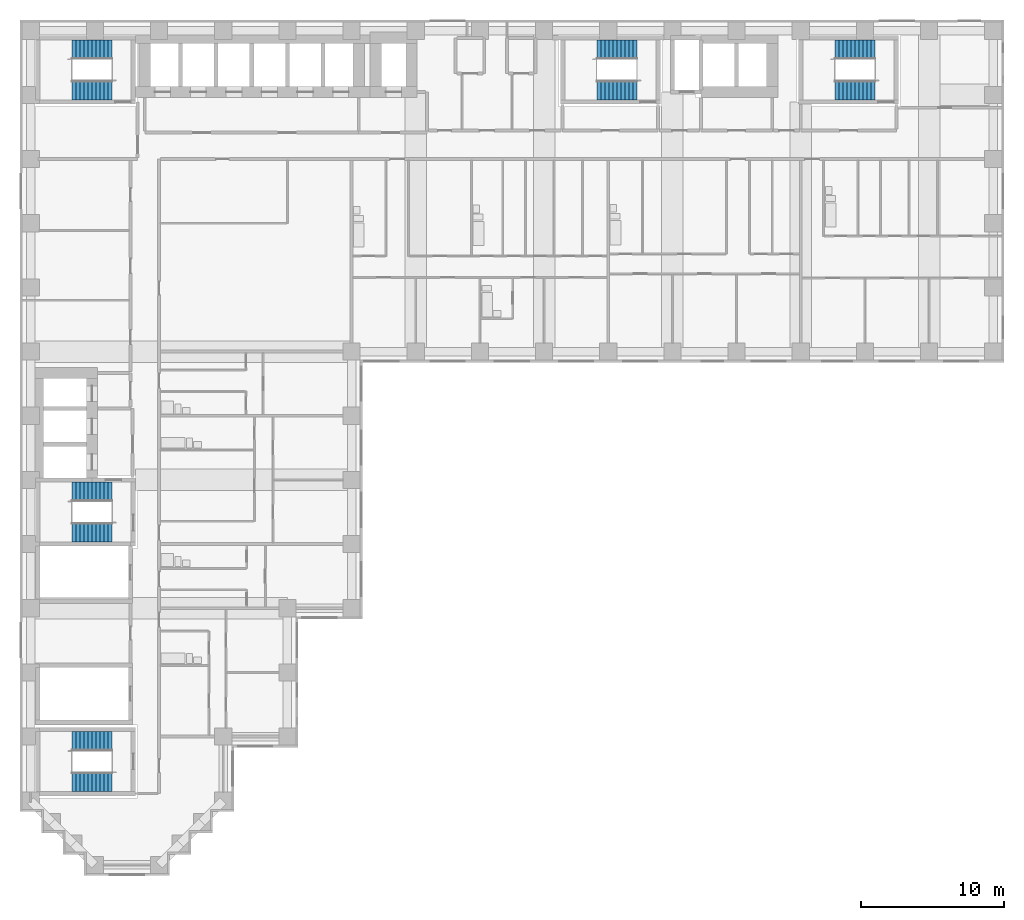
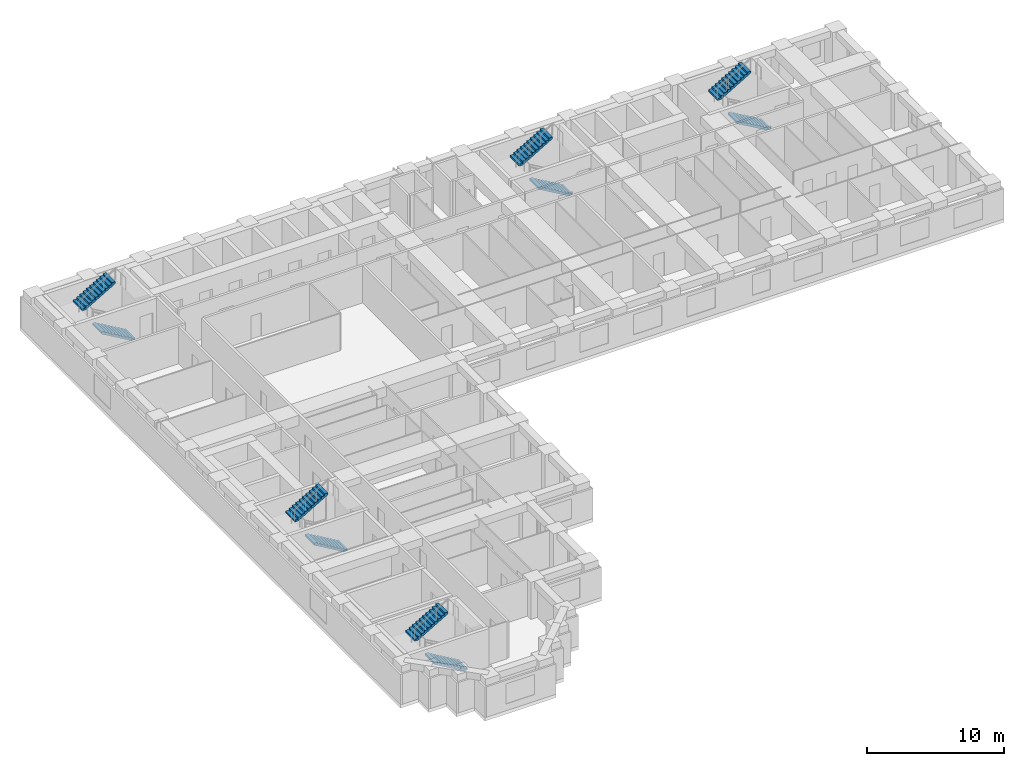
# One storey, part 10 of 12: 10 stair flights, 5 elements without a shape of their own.
"""IFC4 building model written with IfcOpenShell, lengths in metres."""

from ifc_helpers import new_model, si_unit, direction, frame, origin, place, context, subcontext, project, spatial, polyline, outline, extrude, material, type_object, element, aggregate, save


model = new_model("IFC4")

# Units and contexts
model_context = context("Model", 3, precision=1e-05, world=origin(), true_north=direction((0.0, 1.0)))
body_context = subcontext(model_context, "Body", "Model", "MODEL_VIEW")
ifc_project = project(units=[si_unit("LENGTHUNIT", "METRE"), si_unit("AREAUNIT", "SQUARE_METRE"), si_unit("VOLUMEUNIT", "CUBIC_METRE"), si_unit("PLANEANGLEUNIT", "RADIAN"), si_unit("MASSUNIT", "GRAM", prefix="KILO")], contexts=[model_context])

# Site, building, storey
site_placement = place(None, origin())
site = spatial("IfcSite", under=ifc_project, at=site_placement, CompositionType="ELEMENT")
building_placement = place(site_placement, origin())
building = spatial("IfcBuilding", under=site, at=building_placement, Name="Firuza Court", CompositionType="ELEMENT")
storey_placement = place(building_placement, frame((0.0, 0.0, 54.199951171875)))
storey = spatial("IfcBuildingStorey", under=building, at=storey_placement, Name="L12", CompositionType="ELEMENT", Elevation=54.199951171875)

# Stair, stair flights
ifc_material_1 = material(Name="Concrete C40/50 precast", Category="concrete")
stair_type = type_object("IfcStairType", Name="Stair 1350 x 3600 2 flights", PredefinedType="HALF_TURN_STAIR", material=ifc_material_1)
stair_1_placement = place(storey_placement, origin())
stair_1 = element("IfcStair", 1, at=stair_1_placement, inside=storey, type_object=stair_type, Name="Stair 1 L12", PredefinedType="HALF_TURN_STAIR")
ifc_material_2 = material(Name="Concrete C40/50 precast", Category="concrete")
stair_flight_type = type_object("IfcStairFlightType", Name="Flight 1350 riser 163.6", PredefinedType="STRAIGHT", material=ifc_material_2)
stair_flight_1_placement = place(storey_placement, frame((42.5, 54.324951171875, 0.0), z_axis=(0.0, 0.0, 1.0), x_axis=(-1.0, 0.0, 0.0)))
stair_flight_1 = element("IfcStairFlight", 2, at=stair_flight_1_placement, type_object=stair_flight_type, Name="S1 flight 1", NumberOfRisers=11, NumberOfTreads=10, PredefinedType="STRAIGHT", RiserHeight=0.163636364, TreadLength=0.28, context=body_context, shape_type="SweptSolid", body=[
    extrude(outline(polyline([(0.0, 0.0), (0.0, 0.16357421875), (0.280029296875, 0.16357421875), (0.280029296875, 0.327392578125), (0.56005859375, 0.327392578125), (0.56005859375, 0.490966796875), (0.840087890625, 0.490966796875), (0.840087890625, 0.654541015625), (1.1201171875, 0.654541015625), (1.1201171875, 0.818115234375), (1.39990234375, 0.818115234375), (1.39990234375, 0.98193359375), (1.679931640625, 0.98193359375), (1.679931640625, 1.1455078125), (1.9599609375, 1.1455078125), (1.9599609375, 1.30908203125), (2.239990234375, 1.30908203125), (2.239990234375, 1.47265625), (2.52001953125, 1.47265625), (2.52001953125, 1.636474609375), (2.800048828125, 1.636474609375), (2.800048828125, 1.800048828125), (2.800048828125, 1.462646484375), (0.297119140625, 0.0), (0.0, 0.0)])), frame((0.0, 0.675048828125, 0.0), z_axis=(0.0, -1.0, 0.0), x_axis=(1.0, 0.0, 0.0)), (0.0, 0.0, 1.0), 1.35009765625),
])
stair_flight_2_placement = place(storey_placement, frame((39.699951171875, 57.175048828125, 1.800048828125), z_axis=(0.0, 0.0, 1.0), x_axis=(1.0, 0.0, 0.0)))
stair_flight_2 = element("IfcStairFlight", 3, at=stair_flight_2_placement, type_object=stair_flight_type, Name="S1 flight 2", NumberOfRisers=11, NumberOfTreads=10, PredefinedType="STRAIGHT", RiserHeight=0.163636364, TreadLength=0.28, context=body_context, shape_type="SweptSolid", body=[
    extrude(outline(polyline([(0.0, 0.0), (0.0, 0.16357421875), (0.280029296875, 0.16357421875), (0.280029296875, 0.327392578125), (0.56005859375, 0.327392578125), (0.56005859375, 0.490966796875), (0.840087890625, 0.490966796875), (0.840087890625, 0.654541015625), (1.1201171875, 0.654541015625), (1.1201171875, 0.818115234375), (1.39990234375, 0.818115234375), (1.39990234375, 0.98193359375), (1.679931640625, 0.98193359375), (1.679931640625, 1.1455078125), (1.9599609375, 1.1455078125), (1.9599609375, 1.30908203125), (2.239990234375, 1.30908203125), (2.239990234375, 1.47265625), (2.52001953125, 1.47265625), (2.52001953125, 1.636474609375), (2.800048828125, 1.636474609375), (2.800048828125, 1.800048828125), (2.800048828125, 1.462646484375), (0.297119140625, 0.0), (0.0, 0.0)])), frame((0.0, 0.675048828125, 0.0), z_axis=(0.0, -1.0, 0.0), x_axis=(1.0, 0.0, 0.0)), (0.0, 0.0, 1.0), 1.35009765625),
])
aggregate(stair_1, [stair_flight_1, stair_flight_2])

stair_2_placement = place(storey_placement, origin())
stair_2 = element("IfcStair", 4, at=stair_2_placement, inside=storey, type_object=stair_type, Name="Stair 2 L12", PredefinedType="HALF_TURN_STAIR")
stair_flight_3_placement = place(storey_placement, frame((5.699951171875, 23.324951171875, 0.0), z_axis=(0.0, 0.0, 1.0), x_axis=(-1.0, 0.0, 0.0)))
stair_flight_3 = element("IfcStairFlight", 5, at=stair_flight_3_placement, type_object=stair_flight_type, Name="S2 flight 1", NumberOfRisers=11, NumberOfTreads=10, PredefinedType="STRAIGHT", RiserHeight=0.163636364, TreadLength=0.28, context=body_context, shape_type="SweptSolid", body=[
    extrude(outline(polyline([(0.0, 0.0), (0.0, 0.16357421875), (0.280029296875, 0.16357421875), (0.280029296875, 0.327392578125), (0.56005859375, 0.327392578125), (0.56005859375, 0.490966796875), (0.840087890625, 0.490966796875), (0.840087890625, 0.654541015625), (1.1201171875, 0.654541015625), (1.1201171875, 0.818115234375), (1.39990234375, 0.818115234375), (1.39990234375, 0.98193359375), (1.679931640625, 0.98193359375), (1.679931640625, 1.1455078125), (1.9599609375, 1.1455078125), (1.9599609375, 1.30908203125), (2.239990234375, 1.30908203125), (2.239990234375, 1.47265625), (2.52001953125, 1.47265625), (2.52001953125, 1.636474609375), (2.800048828125, 1.636474609375), (2.800048828125, 1.800048828125), (2.800048828125, 1.462646484375), (0.297119140625, 0.0), (0.0, 0.0)])), frame((0.0, 0.675048828125, 0.0), z_axis=(0.0, -1.0, 0.0), x_axis=(1.0, 0.0, 0.0)), (0.0, 0.0, 1.0), 1.35009765625),
])
stair_flight_4_placement = place(storey_placement, frame((2.89990234375, 26.175048828125, 1.800048828125), z_axis=(0.0, 0.0, 1.0), x_axis=(1.0, 0.0, 0.0)))
stair_flight_4 = element("IfcStairFlight", 6, at=stair_flight_4_placement, type_object=stair_flight_type, Name="S2 flight 2", NumberOfRisers=11, NumberOfTreads=10, PredefinedType="STRAIGHT", RiserHeight=0.163636364, TreadLength=0.28, context=body_context, shape_type="SweptSolid", body=[
    extrude(outline(polyline([(0.0, 0.0), (0.0, 0.16357421875), (0.280029296875, 0.16357421875), (0.280029296875, 0.327392578125), (0.56005859375, 0.327392578125), (0.56005859375, 0.490966796875), (0.840087890625, 0.490966796875), (0.840087890625, 0.654541015625), (1.1201171875, 0.654541015625), (1.1201171875, 0.818115234375), (1.39990234375, 0.818115234375), (1.39990234375, 0.98193359375), (1.679931640625, 0.98193359375), (1.679931640625, 1.1455078125), (1.9599609375, 1.1455078125), (1.9599609375, 1.30908203125), (2.239990234375, 1.30908203125), (2.239990234375, 1.47265625), (2.52001953125, 1.47265625), (2.52001953125, 1.636474609375), (2.800048828125, 1.636474609375), (2.800048828125, 1.800048828125), (2.800048828125, 1.462646484375), (0.297119140625, 0.0), (0.0, 0.0)])), frame((0.0, 0.675048828125, 0.0), z_axis=(0.0, -1.0, 0.0), x_axis=(1.0, 0.0, 0.0)), (0.0, 0.0, 1.0), 1.35009765625),
])
aggregate(stair_2, [stair_flight_3, stair_flight_4])

stair_3_placement = place(storey_placement, origin())
stair_3 = element("IfcStair", 7, at=stair_3_placement, inside=storey, type_object=stair_type, Name="Stair 3 L12", PredefinedType="HALF_TURN_STAIR")
stair_flight_5_placement = place(storey_placement, frame((5.699951171875, 54.324951171875, 0.0), z_axis=(0.0, 0.0, 1.0), x_axis=(-1.0, 0.0, 0.0)))
stair_flight_5 = element("IfcStairFlight", 8, at=stair_flight_5_placement, type_object=stair_flight_type, Name="S3 flight 1", NumberOfRisers=11, NumberOfTreads=10, PredefinedType="STRAIGHT", RiserHeight=0.163636364, TreadLength=0.28, context=body_context, shape_type="SweptSolid", body=[
    extrude(outline(polyline([(0.0, 0.0), (0.0, 0.16357421875), (0.280029296875, 0.16357421875), (0.280029296875, 0.327392578125), (0.56005859375, 0.327392578125), (0.56005859375, 0.490966796875), (0.840087890625, 0.490966796875), (0.840087890625, 0.654541015625), (1.1201171875, 0.654541015625), (1.1201171875, 0.818115234375), (1.39990234375, 0.818115234375), (1.39990234375, 0.98193359375), (1.679931640625, 0.98193359375), (1.679931640625, 1.1455078125), (1.9599609375, 1.1455078125), (1.9599609375, 1.30908203125), (2.239990234375, 1.30908203125), (2.239990234375, 1.47265625), (2.52001953125, 1.47265625), (2.52001953125, 1.636474609375), (2.800048828125, 1.636474609375), (2.800048828125, 1.800048828125), (2.800048828125, 1.462646484375), (0.297119140625, 0.0), (0.0, 0.0)])), frame((0.0, 0.675048828125, 0.0), z_axis=(0.0, -1.0, 0.0), x_axis=(1.0, 0.0, 0.0)), (0.0, 0.0, 1.0), 1.35009765625),
])
stair_flight_6_placement = place(storey_placement, frame((2.89990234375, 57.175048828125, 1.800048828125), z_axis=(0.0, 0.0, 1.0), x_axis=(1.0, 0.0, 0.0)))
stair_flight_6 = element("IfcStairFlight", 9, at=stair_flight_6_placement, type_object=stair_flight_type, Name="S3 flight 2", NumberOfRisers=11, NumberOfTreads=10, PredefinedType="STRAIGHT", RiserHeight=0.163636364, TreadLength=0.28, context=body_context, shape_type="SweptSolid", body=[
    extrude(outline(polyline([(0.0, 0.0), (0.0, 0.16357421875), (0.280029296875, 0.16357421875), (0.280029296875, 0.327392578125), (0.56005859375, 0.327392578125), (0.56005859375, 0.490966796875), (0.840087890625, 0.490966796875), (0.840087890625, 0.654541015625), (1.1201171875, 0.654541015625), (1.1201171875, 0.818115234375), (1.39990234375, 0.818115234375), (1.39990234375, 0.98193359375), (1.679931640625, 0.98193359375), (1.679931640625, 1.1455078125), (1.9599609375, 1.1455078125), (1.9599609375, 1.30908203125), (2.239990234375, 1.30908203125), (2.239990234375, 1.47265625), (2.52001953125, 1.47265625), (2.52001953125, 1.636474609375), (2.800048828125, 1.636474609375), (2.800048828125, 1.800048828125), (2.800048828125, 1.462646484375), (0.297119140625, 0.0), (0.0, 0.0)])), frame((0.0, 0.675048828125, 0.0), z_axis=(0.0, -1.0, 0.0), x_axis=(1.0, 0.0, 0.0)), (0.0, 0.0, 1.0), 1.35009765625),
])
aggregate(stair_3, [stair_flight_5, stair_flight_6])

stair_4_placement = place(storey_placement, origin())
stair_4 = element("IfcStair", 10, at=stair_4_placement, inside=storey, type_object=stair_type, Name="Stair 4 L12", PredefinedType="HALF_TURN_STAIR")
stair_flight_7_placement = place(storey_placement, frame((59.199951171875, 54.324951171875, 0.0), z_axis=(0.0, 0.0, 1.0), x_axis=(-1.0, 0.0, 0.0)))
stair_flight_7 = element("IfcStairFlight", 11, at=stair_flight_7_placement, type_object=stair_flight_type, Name="S4 flight 1", NumberOfRisers=11, NumberOfTreads=10, PredefinedType="STRAIGHT", RiserHeight=0.163636364, TreadLength=0.28, context=body_context, shape_type="SweptSolid", body=[
    extrude(outline(polyline([(0.0, 0.0), (0.0, 0.16357421875), (0.280029296875, 0.16357421875), (0.280029296875, 0.327392578125), (0.56005859375, 0.327392578125), (0.56005859375, 0.490966796875), (0.840087890625, 0.490966796875), (0.840087890625, 0.654541015625), (1.1201171875, 0.654541015625), (1.1201171875, 0.818115234375), (1.39990234375, 0.818115234375), (1.39990234375, 0.98193359375), (1.679931640625, 0.98193359375), (1.679931640625, 1.1455078125), (1.9599609375, 1.1455078125), (1.9599609375, 1.30908203125), (2.239990234375, 1.30908203125), (2.239990234375, 1.47265625), (2.52001953125, 1.47265625), (2.52001953125, 1.636474609375), (2.800048828125, 1.636474609375), (2.800048828125, 1.800048828125), (2.800048828125, 1.462646484375), (0.297119140625, 0.0), (0.0, 0.0)])), frame((0.0, 0.675048828125, 0.0), z_axis=(0.0, -1.0, 0.0), x_axis=(1.0, 0.0, 0.0)), (0.0, 0.0, 1.0), 1.35009765625),
])
stair_flight_8_placement = place(storey_placement, frame((56.39990234375, 57.175048828125, 1.800048828125), z_axis=(0.0, 0.0, 1.0), x_axis=(1.0, 0.0, 0.0)))
stair_flight_8 = element("IfcStairFlight", 12, at=stair_flight_8_placement, type_object=stair_flight_type, Name="S4 flight 2", NumberOfRisers=11, NumberOfTreads=10, PredefinedType="STRAIGHT", RiserHeight=0.163636364, TreadLength=0.28, context=body_context, shape_type="SweptSolid", body=[
    extrude(outline(polyline([(0.0, 0.0), (0.0, 0.16357421875), (0.280029296875, 0.16357421875), (0.280029296875, 0.327392578125), (0.56005859375, 0.327392578125), (0.56005859375, 0.490966796875), (0.840087890625, 0.490966796875), (0.840087890625, 0.654541015625), (1.1201171875, 0.654541015625), (1.1201171875, 0.818115234375), (1.39990234375, 0.818115234375), (1.39990234375, 0.98193359375), (1.679931640625, 0.98193359375), (1.679931640625, 1.1455078125), (1.9599609375, 1.1455078125), (1.9599609375, 1.30908203125), (2.239990234375, 1.30908203125), (2.239990234375, 1.47265625), (2.52001953125, 1.47265625), (2.52001953125, 1.636474609375), (2.800048828125, 1.636474609375), (2.800048828125, 1.800048828125), (2.800048828125, 1.462646484375), (0.297119140625, 0.0), (0.0, 0.0)])), frame((0.0, 0.675048828125, 0.0), z_axis=(0.0, -1.0, 0.0), x_axis=(1.0, 0.0, 0.0)), (0.0, 0.0, 1.0), 1.35009765625),
])
aggregate(stair_4, [stair_flight_7, stair_flight_8])

stair_5_placement = place(storey_placement, origin())
stair_5 = element("IfcStair", 13, at=stair_5_placement, inside=storey, type_object=stair_type, Name="Stair 5 L12", PredefinedType="HALF_TURN_STAIR")
stair_flight_9_placement = place(storey_placement, frame((5.699951171875, 5.824951171875, 0.0), z_axis=(0.0, 0.0, 1.0), x_axis=(-1.0, 0.0, 0.0)))
stair_flight_9 = element("IfcStairFlight", 14, at=stair_flight_9_placement, type_object=stair_flight_type, Name="S5 flight 1", NumberOfRisers=11, NumberOfTreads=10, PredefinedType="STRAIGHT", RiserHeight=0.163636364, TreadLength=0.28, context=body_context, shape_type="SweptSolid", body=[
    extrude(outline(polyline([(0.0, 0.0), (0.0, 0.16357421875), (0.280029296875, 0.16357421875), (0.280029296875, 0.327392578125), (0.56005859375, 0.327392578125), (0.56005859375, 0.490966796875), (0.840087890625, 0.490966796875), (0.840087890625, 0.654541015625), (1.1201171875, 0.654541015625), (1.1201171875, 0.818115234375), (1.39990234375, 0.818115234375), (1.39990234375, 0.98193359375), (1.679931640625, 0.98193359375), (1.679931640625, 1.1455078125), (1.9599609375, 1.1455078125), (1.9599609375, 1.30908203125), (2.239990234375, 1.30908203125), (2.239990234375, 1.47265625), (2.52001953125, 1.47265625), (2.52001953125, 1.636474609375), (2.800048828125, 1.636474609375), (2.800048828125, 1.800048828125), (2.800048828125, 1.462646484375), (0.297119140625, 0.0), (0.0, 0.0)])), frame((0.0, 0.675048828125, 0.0), z_axis=(0.0, -1.0, 0.0), x_axis=(1.0, 0.0, 0.0)), (0.0, 0.0, 1.0), 1.35009765625),
])
stair_flight_10_placement = place(storey_placement, frame((2.89990234375, 8.675048828125, 1.800048828125), z_axis=(0.0, 0.0, 1.0), x_axis=(1.0, 0.0, 0.0)))
stair_flight_10 = element("IfcStairFlight", 15, at=stair_flight_10_placement, type_object=stair_flight_type, Name="S5 flight 2", NumberOfRisers=11, NumberOfTreads=10, PredefinedType="STRAIGHT", RiserHeight=0.163636364, TreadLength=0.28, context=body_context, shape_type="SweptSolid", body=[
    extrude(outline(polyline([(0.0, 0.0), (0.0, 0.16357421875), (0.280029296875, 0.16357421875), (0.280029296875, 0.327392578125), (0.56005859375, 0.327392578125), (0.56005859375, 0.490966796875), (0.840087890625, 0.490966796875), (0.840087890625, 0.654541015625), (1.1201171875, 0.654541015625), (1.1201171875, 0.818115234375), (1.39990234375, 0.818115234375), (1.39990234375, 0.98193359375), (1.679931640625, 0.98193359375), (1.679931640625, 1.1455078125), (1.9599609375, 1.1455078125), (1.9599609375, 1.30908203125), (2.239990234375, 1.30908203125), (2.239990234375, 1.47265625), (2.52001953125, 1.47265625), (2.52001953125, 1.636474609375), (2.800048828125, 1.636474609375), (2.800048828125, 1.800048828125), (2.800048828125, 1.462646484375), (0.297119140625, 0.0), (0.0, 0.0)])), frame((0.0, 0.675048828125, 0.0), z_axis=(0.0, -1.0, 0.0), x_axis=(1.0, 0.0, 0.0)), (0.0, 0.0, 1.0), 1.35009765625),
])
aggregate(stair_5, [stair_flight_9, stair_flight_10])

save(model, "model.ifc")
